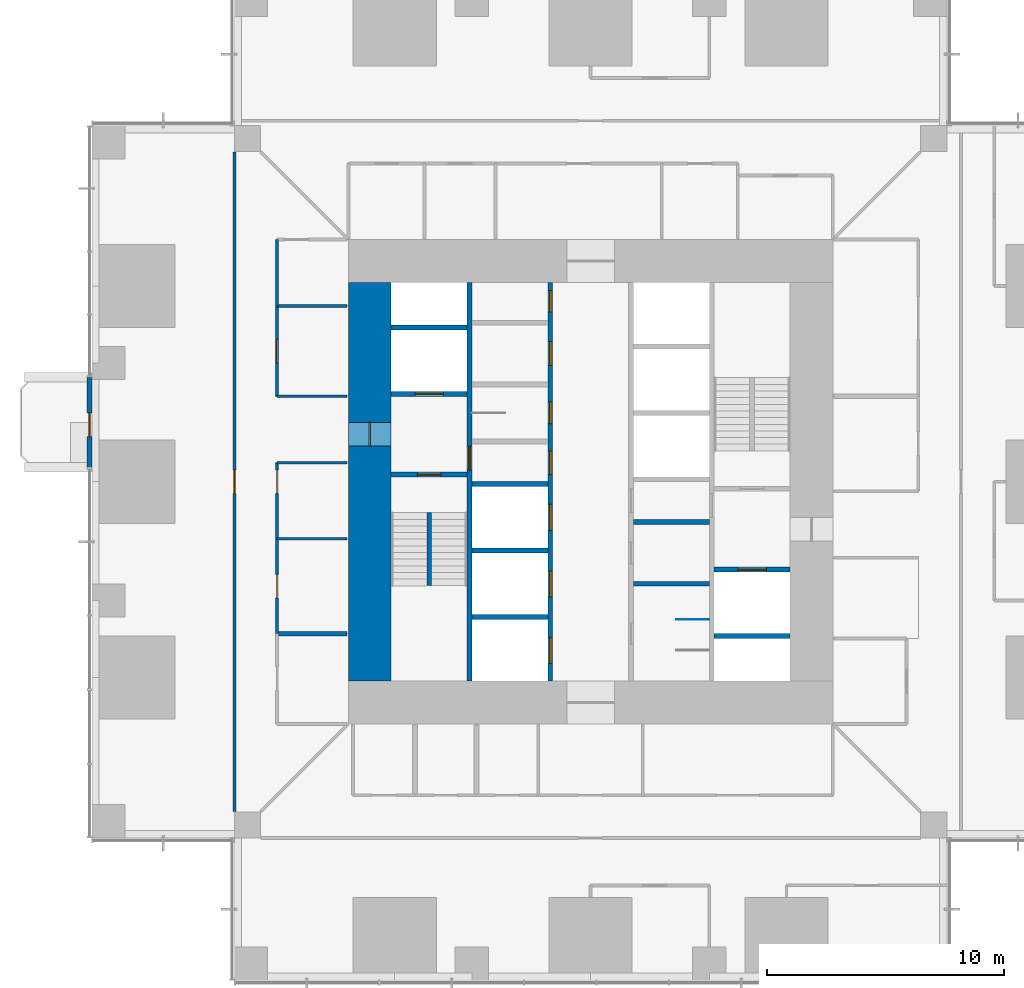
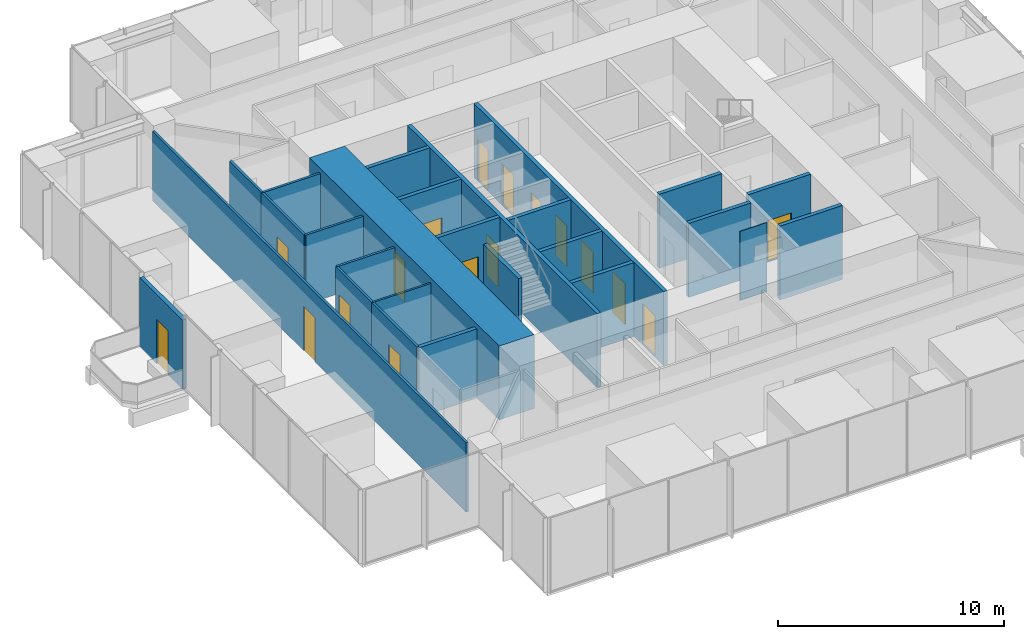
# One storey, part 10 of 15: 26 walls, 17 doors, 17 openings.
"""IFC4 building model written with IfcOpenShell, lengths in metres."""

from ifc_helpers import new_model, si_unit, direction, frame, frame_2d, origin, place, context, subcontext, project, spatial, rectangle, extrude, material, layer, layer_set, type_object, element, fill, save


model = new_model("IFC4")

# Units and contexts
model_context = context("Model", 3, precision=1e-05, world=origin(), true_north=direction((0.0, 1.0)))
body_context = subcontext(model_context, "Body", "Model", "MODEL_VIEW")
ifc_project = project(units=[si_unit("LENGTHUNIT", "METRE"), si_unit("AREAUNIT", "SQUARE_METRE"), si_unit("VOLUMEUNIT", "CUBIC_METRE"), si_unit("PLANEANGLEUNIT", "RADIAN"), si_unit("MASSUNIT", "GRAM", prefix="KILO")], contexts=[model_context])

# Site, building, storey
site_placement = place(None, origin())
site = spatial("IfcSite", under=ifc_project, at=site_placement, CompositionType="ELEMENT")
building_placement = place(site_placement, origin())
building = spatial("IfcBuilding", under=site, at=building_placement, Name="Svetlomir Tower", CompositionType="ELEMENT")
storey_placement = place(building_placement, frame((0.0, 0.0, 66.5)))
storey = spatial("IfcBuildingStorey", under=building, at=storey_placement, Name="L15", CompositionType="ELEMENT", Elevation=66.5)

# Wall
ifc_material_1 = material(Name="Gypsum board on twin steel studs", Category="steel")
ifc_layer_1 = layer(ifc_material_1, 0.199951171875)
ifc_layer_set_1 = layer_set([ifc_layer_1], Name="Gypsum board on twin steel studs")
wall_type_1 = type_object("IfcWallType", Name="ACOUSTIC PARTITION 200", PredefinedType="PARTITIONING", material=ifc_layer_set_1)
wall_1_placement = place(storey_placement, frame((7.800048828125, 14.60009765625, 0.0), z_axis=(0.0, 0.0, 1.0), x_axis=(1.0, 0.0, 0.0)))
element("IfcWall", 1, at=wall_1_placement, inside=storey, type_object=wall_type_1, Name="Acoustic partition L15", PredefinedType="PARTITIONING", context=body_context, shape_type="SweptSolid", body=[
    extrude(rectangle(XDim=2.949951171875, YDim=0.199951171875, at=frame_2d((1.47509765625, 0.0))), origin(), (0.0, 0.0, 1.0), 3.75),
])

# Wall, opening, door
ifc_material_2 = material(Name="Bronze anodised aluminium glazed screen", Category="aluminium")
ifc_layer_2 = layer(ifc_material_2, 0.199951171875)
ifc_layer_set_2 = layer_set([ifc_layer_2], Name="Bronze anodised aluminium glazed screen")
wall_type_2 = type_object("IfcWallType", Name="BALCONY SCREEN WALL 200", PredefinedType="USERDEFINED", material=ifc_layer_set_2)
wall_2_placement = place(storey_placement, frame((-0.10009765625, 25.39990234375, 0.0), z_axis=(0.0, 0.0, 1.0), x_axis=(0.0, -1.0, 0.0)))
wall_2 = element("IfcWall", 2, at=wall_2_placement, inside=storey, type_object=wall_type_2, Name="Balcony screen W", ObjectType="GLAZED SCREEN", PredefinedType="USERDEFINED", context=body_context, shape_type="SweptSolid", body=[
    extrude(rectangle(XDim=3.7998046875, YDim=0.199951171875, at=frame_2d((1.89990234375, 0.0))), origin(), (0.0, 0.0, 1.0), 3.75),
])
opening_1_placement = place(wall_2_placement, frame((1.5, 0.0, 0.0)))
opening_1 = element("IfcOpeningElement", 3, at=opening_1_placement, cuts=wall_2, Name="Opening BD", PredefinedType="OPENING", context=body_context, shape_type="SweptSolid", body=[
    extrude(rectangle(XDim=1.0, YDim=2.39990234375, at=frame_2d((0.5, 1.199951171875))), frame((0.0, 0.10986328125, 0.0), z_axis=(0.0, -1.0, 0.0), x_axis=(1.0, 0.0, 0.0)), (0.0, 0.0, 1.0), 0.219970703125),
])
ifc_material_3 = material(Name="Bronze anodised aluminium glazed door", Category="aluminium")
door_type_1 = type_object("IfcDoorType", Name="BALCONY DOOR BD 1000x2400", OperationType="SINGLE_SWING_LEFT", PredefinedType="DOOR", material=ifc_material_3)
door_1_placement = place(opening_1_placement, origin())
door_1 = element("IfcDoor", 4, at=door_1_placement, inside=storey, type_object=door_type_1, Name="Balcony screen W door", OperationType="SINGLE_SWING_LEFT", OverallHeight=2.39990234375, OverallWidth=1.0, PredefinedType="DOOR", context=body_context, shape_type="SweptSolid", body=[
    extrude(rectangle(XDim=1.0, YDim=2.39990234375, at=frame_2d((0.5, 1.199951171875))), frame((0.0, 0.02490234375, 0.0), z_axis=(0.0, -1.0, 0.0), x_axis=(1.0, 0.0, 0.0)), (0.0, 0.0, 1.0), 0.050048828125),
])
fill(opening_1, door_1)

ifc_material_4 = material(Name="Concrete C60/75", Category="concrete")
ifc_layer_3 = layer(ifc_material_4, 0.199951171875)
ifc_layer_set_3 = layer_set([ifc_layer_3], Name="Concrete C60/75")
wall_type_3 = type_object("IfcWallType", Name="CORE INNER WALL 200", PredefinedType="SHEAR", material=ifc_layer_set_3)
wall_3_placement = place(storey_placement, frame((15.89990234375, 12.60009765625, -0.050048828125), z_axis=(0.0, 0.0, 1.0), x_axis=(0.0, 1.0, 0.0)))
wall_3 = element("IfcWall", 5, at=wall_3_placement, inside=storey, type_object=wall_type_3, Name="Core inner wall 15.9 L15", PredefinedType="SHEAR", context=body_context, shape_type="SweptSolid", body=[
    extrude(rectangle(XDim=16.7998046875, YDim=0.199951171875, at=frame_2d((8.39990234375, 0.0))), origin(), (0.0, 0.0, 1.0), 4.0),
])
opening_2_placement = place(wall_3_placement, frame((8.89990234375, 0.0, 0.050048828125)))
opening_2 = element("IfcOpeningElement", 6, at=opening_2_placement, cuts=wall_3, Name="Opening DF", PredefinedType="OPENING", context=body_context, shape_type="SweptSolid", body=[
    extrude(rectangle(XDim=1.0, YDim=2.199951171875, at=frame_2d((0.5, 1.10009765625))), frame((0.0, 0.10986328125, 0.0), z_axis=(0.0, -1.0, 0.0), x_axis=(1.0, 0.0, 0.0)), (0.0, 0.0, 1.0), 0.219970703125),
])
ifc_material_5 = material(Name="Steel fire door", Category="steel")
door_type_2 = type_object("IfcDoorType", Name="DOOR DF 1000x2200", OperationType="SINGLE_SWING_LEFT", PredefinedType="DOOR", material=ifc_material_5)
door_2_placement = place(opening_2_placement, origin())
door_2 = element("IfcDoor", 7, at=door_2_placement, inside=storey, type_object=door_type_2, Name="Core corridor west door L15", OperationType="SINGLE_SWING_LEFT", OverallHeight=2.199951171875, OverallWidth=1.0, PredefinedType="DOOR", context=body_context, shape_type="SweptSolid", body=[
    extrude(rectangle(XDim=1.0, YDim=2.199951171875, at=frame_2d((0.5, 1.10009765625))), frame((0.0, 0.02490234375, 0.0), z_axis=(0.0, -1.0, 0.0), x_axis=(1.0, 0.0, 0.0)), (0.0, 0.0, 1.0), 0.050048828125),
])
fill(opening_2, door_2)

# Wall, openings, doors
wall_4_placement = place(storey_placement, frame((19.300048828125, 12.60009765625, -0.050048828125), z_axis=(0.0, 0.0, 1.0), x_axis=(0.0, 1.0, 0.0)))
wall_4 = element("IfcWall", 8, at=wall_4_placement, inside=storey, type_object=wall_type_3, Name="Core inner wall 19.3 L15", PredefinedType="SHEAR", context=body_context, shape_type="SweptSolid", body=[
    extrude(rectangle(XDim=16.7998046875, YDim=0.199951171875, at=frame_2d((8.39990234375, 0.0))), origin(), (0.0, 0.0, 1.0), 4.0),
])
opening_3_placement = place(wall_4_placement, frame((8.699951171875, 0.0, 0.050048828125)))
opening_3 = element("IfcOpeningElement", 9, at=opening_3_placement, cuts=wall_4, Name="Opening DC", PredefinedType="OPENING", context=body_context, shape_type="SweptSolid", body=[
    extrude(rectangle(XDim=1.0, YDim=2.199951171875, at=frame_2d((0.5, 1.10009765625))), frame((0.0, 0.10986328125, 0.0), z_axis=(0.0, -1.0, 0.0), x_axis=(1.0, 0.0, 0.0)), (0.0, 0.0, 1.0), 0.219970703125),
])
opening_4_placement = place(wall_4_placement, frame((10.85009765625, 0.0, 0.050048828125)))
opening_4 = element("IfcOpeningElement", 10, at=opening_4_placement, cuts=wall_4, Name="Opening DW", PredefinedType="OPENING", context=body_context, shape_type="SweptSolid", body=[
    extrude(rectangle(XDim=0.89990234375, YDim=2.199951171875, at=frame_2d((0.449951171875, 1.10009765625))), frame((0.0, 0.10986328125, 0.0), z_axis=(0.0, -1.0, 0.0), x_axis=(1.0, 0.0, 0.0)), (0.0, 0.0, 1.0), 0.219970703125),
])
opening_5_placement = place(wall_4_placement, frame((13.300048828125, 0.0, 0.050048828125)))
opening_5 = element("IfcOpeningElement", 11, at=opening_5_placement, cuts=wall_4, Name="Opening DC", PredefinedType="OPENING", context=body_context, shape_type="SweptSolid", body=[
    extrude(rectangle(XDim=1.0, YDim=2.199951171875, at=frame_2d((0.5, 1.10009765625))), frame((0.0, 0.10986328125, 0.0), z_axis=(0.0, -1.0, 0.0), x_axis=(1.0, 0.0, 0.0)), (0.0, 0.0, 1.0), 0.219970703125),
])
opening_6_placement = place(wall_4_placement, frame((15.550048828125, 0.0, 0.050048828125)))
opening_6 = element("IfcOpeningElement", 12, at=opening_6_placement, cuts=wall_4, Name="Opening DW", PredefinedType="OPENING", context=body_context, shape_type="SweptSolid", body=[
    extrude(rectangle(XDim=0.89990234375, YDim=2.199951171875, at=frame_2d((0.449951171875, 1.10009765625))), frame((0.0, 0.10986328125, 0.0), z_axis=(0.0, -1.0, 0.0), x_axis=(1.0, 0.0, 0.0)), (0.0, 0.0, 1.0), 0.219970703125),
])
opening_7_placement = place(wall_4_placement, frame((0.75, 0.0, 0.050048828125)))
opening_7 = element("IfcOpeningElement", 13, at=opening_7_placement, cuts=wall_4, Name="Opening LD", PredefinedType="OPENING", context=body_context, shape_type="SweptSolid", body=[
    extrude(rectangle(XDim=1.10009765625, YDim=2.199951171875, at=frame_2d((0.550048828125, 1.10009765625))), frame((0.0, 0.10986328125, 0.0), z_axis=(0.0, -1.0, 0.0), x_axis=(1.0, 0.0, 0.0)), (0.0, 0.0, 1.0), 0.219970703125),
])
opening_8_placement = place(wall_4_placement, frame((3.550048828125, 0.0, 0.050048828125)))
opening_8 = element("IfcOpeningElement", 14, at=opening_8_placement, cuts=wall_4, Name="Opening LD", PredefinedType="OPENING", context=body_context, shape_type="SweptSolid", body=[
    extrude(rectangle(XDim=1.10009765625, YDim=2.199951171875, at=frame_2d((0.550048828125, 1.10009765625))), frame((0.0, 0.10986328125, 0.0), z_axis=(0.0, -1.0, 0.0), x_axis=(1.0, 0.0, 0.0)), (0.0, 0.0, 1.0), 0.219970703125),
])
opening_9_placement = place(wall_4_placement, frame((6.35009765625, 0.0, 0.050048828125)))
opening_9 = element("IfcOpeningElement", 15, at=opening_9_placement, cuts=wall_4, Name="Opening LD", PredefinedType="OPENING", context=body_context, shape_type="SweptSolid", body=[
    extrude(rectangle(XDim=1.10009765625, YDim=2.199951171875, at=frame_2d((0.550048828125, 1.10009765625))), frame((0.0, 0.10986328125, 0.0), z_axis=(0.0, -1.0, 0.0), x_axis=(1.0, 0.0, 0.0)), (0.0, 0.0, 1.0), 0.219970703125),
])
ifc_material_6 = material(Name="Timber fire door", Category="wood")
door_type_3 = type_object("IfcDoorType", Name="DOOR DC 1000x2200", OperationType="SINGLE_SWING_LEFT", PredefinedType="DOOR", material=ifc_material_6)
door_3_placement = place(opening_3_placement, origin())
door_3 = element("IfcDoor", 16, at=door_3_placement, inside=storey, type_object=door_type_3, Name="Core corridor west lobby door L15", OperationType="SINGLE_SWING_LEFT", OverallHeight=2.199951171875, OverallWidth=1.0, PredefinedType="DOOR", context=body_context, shape_type="SweptSolid", body=[
    extrude(rectangle(XDim=1.0, YDim=2.199951171875, at=frame_2d((0.5, 1.10009765625))), frame((0.0, 0.02490234375, 0.0), z_axis=(0.0, -1.0, 0.0), x_axis=(1.0, 0.0, 0.0)), (0.0, 0.0, 1.0), 0.050048828125),
])
fill(opening_3, door_3)
door_4_placement = place(opening_5_placement, origin())
door_4 = element("IfcDoor", 17, at=door_4_placement, inside=storey, type_object=door_type_3, Name="Accessible WC door L15", OperationType="SINGLE_SWING_RIGHT", OverallHeight=2.199951171875, OverallWidth=1.0, PredefinedType="DOOR", context=body_context, shape_type="SweptSolid", body=[
    extrude(rectangle(XDim=1.0, YDim=2.199951171875, at=frame_2d((0.5, 1.10009765625))), frame((0.0, 0.02490234375, 0.0), z_axis=(0.0, -1.0, 0.0), x_axis=(1.0, 0.0, 0.0)), (0.0, 0.0, 1.0), 0.050048828125),
])
fill(opening_5, door_4)
ifc_material_7 = material(Name="Timber fire door", Category="wood")
door_type_4 = type_object("IfcDoorType", Name="DOOR DW 900x2200", OperationType="SINGLE_SWING_LEFT", PredefinedType="DOOR", material=ifc_material_7)
door_5_placement = place(opening_4_placement, origin())
door_5 = element("IfcDoor", 18, at=door_5_placement, inside=storey, type_object=door_type_4, Name="Female WC door L15", OperationType="SINGLE_SWING_LEFT", OverallHeight=2.199951171875, OverallWidth=0.89990234375, PredefinedType="DOOR", context=body_context, shape_type="SweptSolid", body=[
    extrude(rectangle(XDim=0.89990234375, YDim=2.199951171875, at=frame_2d((0.449951171875, 1.10009765625))), frame((0.0, 0.02490234375, 0.0), z_axis=(0.0, -1.0, 0.0), x_axis=(1.0, 0.0, 0.0)), (0.0, 0.0, 1.0), 0.050048828125),
])
fill(opening_4, door_5)
door_6_placement = place(opening_6_placement, origin())
door_6 = element("IfcDoor", 19, at=door_6_placement, inside=storey, type_object=door_type_4, Name="IT floor distributor room door L15", OperationType="SINGLE_SWING_LEFT", OverallHeight=2.199951171875, OverallWidth=0.89990234375, PredefinedType="DOOR", context=body_context, shape_type="SweptSolid", body=[
    extrude(rectangle(XDim=0.89990234375, YDim=2.199951171875, at=frame_2d((0.449951171875, 1.10009765625))), frame((0.0, 0.02490234375, 0.0), z_axis=(0.0, -1.0, 0.0), x_axis=(1.0, 0.0, 0.0)), (0.0, 0.0, 1.0), 0.050048828125),
])
fill(opening_6, door_6)
ifc_material_8 = material(Name="Stainless steel landing door", Category="steel")
door_type_5 = type_object("IfcDoorType", Name="LIFT LANDING DOOR LD 1100x2200", OperationType="DOUBLE_DOOR_SLIDING", PredefinedType="DOOR", material=ifc_material_8)
door_7_placement = place(opening_7_placement, origin())
door_7 = element("IfcDoor", 20, at=door_7_placement, inside=storey, type_object=door_type_5, Name="Landing door lift LA1 L15", OperationType="DOUBLE_DOOR_SLIDING", OverallHeight=2.199951171875, OverallWidth=1.10009765625, PredefinedType="DOOR", context=body_context, shape_type="SweptSolid", body=[
    extrude(rectangle(XDim=1.10009765625, YDim=2.199951171875, at=frame_2d((0.550048828125, 1.10009765625))), frame((0.0, 0.02490234375, 0.0), z_axis=(0.0, -1.0, 0.0), x_axis=(1.0, 0.0, 0.0)), (0.0, 0.0, 1.0), 0.050048828125),
])
fill(opening_7, door_7)
door_8_placement = place(opening_8_placement, origin())
door_8 = element("IfcDoor", 21, at=door_8_placement, inside=storey, type_object=door_type_5, Name="Landing door lift LA2 L15", OperationType="DOUBLE_DOOR_SLIDING", OverallHeight=2.199951171875, OverallWidth=1.10009765625, PredefinedType="DOOR", context=body_context, shape_type="SweptSolid", body=[
    extrude(rectangle(XDim=1.10009765625, YDim=2.199951171875, at=frame_2d((0.550048828125, 1.10009765625))), frame((0.0, 0.02490234375, 0.0), z_axis=(0.0, -1.0, 0.0), x_axis=(1.0, 0.0, 0.0)), (0.0, 0.0, 1.0), 0.050048828125),
])
fill(opening_8, door_8)
door_9_placement = place(opening_9_placement, origin())
door_9 = element("IfcDoor", 22, at=door_9_placement, inside=storey, type_object=door_type_5, Name="Landing door lift LA3 L15", OperationType="DOUBLE_DOOR_SLIDING", OverallHeight=2.199951171875, OverallWidth=1.10009765625, PredefinedType="DOOR", context=body_context, shape_type="SweptSolid", body=[
    extrude(rectangle(XDim=1.10009765625, YDim=2.199951171875, at=frame_2d((0.550048828125, 1.10009765625))), frame((0.0, 0.02490234375, 0.0), z_axis=(0.0, -1.0, 0.0), x_axis=(1.0, 0.0, 0.0)), (0.0, 0.0, 1.0), 0.050048828125),
])
fill(opening_9, door_9)

# Wall, opening, door
wall_5_placement = place(storey_placement, frame((12.60009765625, 21.300048828125, -0.050048828125), z_axis=(0.0, 0.0, 1.0), x_axis=(1.0, 0.0, 0.0)))
wall_5 = element("IfcWall", 23, at=wall_5_placement, inside=storey, type_object=wall_type_3, Name="Core inner wall 12.6-15.8/21.3 L15", PredefinedType="SHEAR", context=body_context, shape_type="SweptSolid", body=[
    extrude(rectangle(XDim=3.199951171875, YDim=0.199951171875, at=frame_2d((1.60009765625, 0.0))), origin(), (0.0, 0.0, 1.0), 4.0),
])
opening_10_placement = place(wall_5_placement, frame((1.10009765625, 0.0, 0.050048828125)))
opening_10 = element("IfcOpeningElement", 24, at=opening_10_placement, cuts=wall_5, Name="Opening DF", PredefinedType="OPENING", context=body_context, shape_type="SweptSolid", body=[
    extrude(rectangle(XDim=1.0, YDim=2.199951171875, at=frame_2d((0.5, 1.10009765625))), frame((0.0, 0.10986328125, 0.0), z_axis=(0.0, -1.0, 0.0), x_axis=(1.0, 0.0, 0.0)), (0.0, 0.0, 1.0), 0.219970703125),
])
door_10_placement = place(opening_10_placement, origin())
door_10 = element("IfcDoor", 25, at=door_10_placement, inside=storey, type_object=door_type_2, Name="Stair S1 door L15", OperationType="SINGLE_SWING_LEFT", OverallHeight=2.199951171875, OverallWidth=1.0, PredefinedType="DOOR", context=body_context, shape_type="SweptSolid", body=[
    extrude(rectangle(XDim=1.0, YDim=2.199951171875, at=frame_2d((0.5, 1.10009765625))), frame((0.0, 0.02490234375, 0.0), z_axis=(0.0, -1.0, 0.0), x_axis=(1.0, 0.0, 0.0)), (0.0, 0.0, 1.0), 0.050048828125),
])
fill(opening_10, door_10)

wall_6_placement = place(storey_placement, frame((12.60009765625, 24.699951171875, -0.050048828125), z_axis=(0.0, 0.0, 1.0), x_axis=(1.0, 0.0, 0.0)))
wall_6 = element("IfcWall", 26, at=wall_6_placement, inside=storey, type_object=wall_type_3, Name="Core inner wall 12.6-15.8/24.7 L15", PredefinedType="SHEAR", context=body_context, shape_type="SweptSolid", body=[
    extrude(rectangle(XDim=3.199951171875, YDim=0.199951171875, at=frame_2d((1.60009765625, 0.0))), origin(), (0.0, 0.0, 1.0), 4.0),
])
opening_11_placement = place(wall_6_placement, frame((1.0, 0.0, 0.050048828125)))
opening_11 = element("IfcOpeningElement", 27, at=opening_11_placement, cuts=wall_6, Name="Opening LD3", PredefinedType="OPENING", context=body_context, shape_type="SweptSolid", body=[
    extrude(rectangle(XDim=1.199951171875, YDim=2.199951171875, at=frame_2d((0.60009765625, 1.10009765625))), frame((0.0, 0.10986328125, 0.0), z_axis=(0.0, -1.0, 0.0), x_axis=(1.0, 0.0, 0.0)), (0.0, 0.0, 1.0), 0.219970703125),
])
ifc_material_9 = material(Name="Stainless steel fire-rated landing door", Category="steel")
door_type_6 = type_object("IfcDoorType", Name="FIREFIGHTING LIFT LANDING DOOR LD3 1200x2200", OperationType="DOUBLE_DOOR_SLIDING", PredefinedType="DOOR", material=ifc_material_9)
door_11_placement = place(opening_11_placement, origin())
door_11 = element("IfcDoor", 28, at=door_11_placement, inside=storey, type_object=door_type_6, Name="Landing door lift FL1 L15", OperationType="DOUBLE_DOOR_SLIDING", OverallHeight=2.199951171875, OverallWidth=1.199951171875, PredefinedType="DOOR", context=body_context, shape_type="SweptSolid", body=[
    extrude(rectangle(XDim=1.199951171875, YDim=2.199951171875, at=frame_2d((0.60009765625, 1.10009765625))), frame((0.0, 0.02490234375, 0.0), z_axis=(0.0, -1.0, 0.0), x_axis=(1.0, 0.0, 0.0)), (0.0, 0.0, 1.0), 0.050048828125),
])
fill(opening_11, door_11)

# Walls
for number, where, z_axis, x_axis, name in (
    (29, (12.60009765625, 27.5, -0.050048828125), (0.0, 0.0, 1.0), (1.0, 0.0, 0.0), "Core inner wall 12.6-15.8/27.5 L15"),
    (30, (16.0, 15.300048828125, -0.050048828125), (0.0, 0.0, 1.0), (1.0, 0.0, 0.0), "Core inner wall 16-19.2/15.3 L15"),
    (31, (16.0, 18.10009765625, -0.050048828125), (0.0, 0.0, 1.0), (1.0, 0.0, 0.0), "Core inner wall 16-19.2/18.1 L15"),
    (32, (16.0, 20.89990234375, -0.050048828125), (0.0, 0.0, 1.0), (1.0, 0.0, 0.0), "Core inner wall 16-19.2/20.9 L15"),
    (33, (22.800048828125, 16.699951171875, -0.050048828125), (0.0, 0.0, 1.0), (1.0, 0.0, 0.0), "Core inner wall 22.8-26/16.7 L15"),
    (34, (22.800048828125, 19.300048828125, -0.050048828125), (0.0, 0.0, 1.0), (1.0, 0.0, 0.0), "Core inner wall 22.8-26/19.3 L15"),
    (35, (26.199951171875, 14.5, -0.050048828125), (0.0, 0.0, 1.0), (1.0, 0.0, 0.0), "Core inner wall 26.2-29.4/14.5 L15"),
):
    element("IfcWall", number, at=place(storey_placement, frame(where, z_axis=z_axis, x_axis=x_axis)), inside=storey, type_object=wall_type_3, Name=name, PredefinedType="SHEAR", context=body_context, shape_type="SweptSolid", body=[
        extrude(rectangle(XDim=3.199951171875, YDim=0.199951171875, at=frame_2d((1.60009765625, 0.0))), origin(), (0.0, 0.0, 1.0), 4.0),
    ])

# Wall, opening, door
wall_7_placement = place(storey_placement, frame((26.199951171875, 17.300048828125, -0.050048828125), z_axis=(0.0, 0.0, 1.0), x_axis=(1.0, 0.0, 0.0)))
wall_7 = element("IfcWall", 36, at=wall_7_placement, inside=storey, type_object=wall_type_3, Name="Core inner wall 26.2-29.4/17.3 L15", PredefinedType="SHEAR", context=body_context, shape_type="SweptSolid", body=[
    extrude(rectangle(XDim=3.199951171875, YDim=0.199951171875, at=frame_2d((1.60009765625, 0.0))), origin(), (0.0, 0.0, 1.0), 4.0),
])
opening_12_placement = place(wall_7_placement, frame((1.0, 0.0, 0.050048828125)))
opening_12 = element("IfcOpeningElement", 37, at=opening_12_placement, cuts=wall_7, Name="Opening LD3", PredefinedType="OPENING", context=body_context, shape_type="SweptSolid", body=[
    extrude(rectangle(XDim=1.199951171875, YDim=2.199951171875, at=frame_2d((0.60009765625, 1.10009765625))), frame((0.0, 0.10986328125, 0.0), z_axis=(0.0, -1.0, 0.0), x_axis=(1.0, 0.0, 0.0)), (0.0, 0.0, 1.0), 0.219970703125),
])
door_12_placement = place(opening_12_placement, origin())
door_12 = element("IfcDoor", 38, at=door_12_placement, inside=storey, type_object=door_type_6, Name="Landing door lift FL2 L15", OperationType="DOUBLE_DOOR_SLIDING", OverallHeight=2.199951171875, OverallWidth=1.199951171875, PredefinedType="DOOR", context=body_context, shape_type="SweptSolid", body=[
    extrude(rectangle(XDim=1.199951171875, YDim=2.199951171875, at=frame_2d((0.60009765625, 1.10009765625))), frame((0.0, 0.02490234375, 0.0), z_axis=(0.0, -1.0, 0.0), x_axis=(1.0, 0.0, 0.0)), (0.0, 0.0, 1.0), 0.050048828125),
])
fill(opening_12, door_12)

ifc_material_10 = material(Name="Concrete C60/75", Category="concrete")
ifc_layer_4 = layer(ifc_material_10, 1.800048828125)
ifc_layer_set_4 = layer_set([ifc_layer_4], Name="Concrete C60/75")
wall_type_4 = type_object("IfcWallType", Name="CORE WALL 1800", PredefinedType="SHEAR", material=ifc_layer_set_4)
wall_8_placement = place(storey_placement, frame((11.699951171875, 12.60009765625, -0.050048828125), z_axis=(0.0, 0.0, 1.0), x_axis=(0.0, 1.0, 0.0)))
wall_8 = element("IfcWall", 39, at=wall_8_placement, inside=storey, type_object=wall_type_4, Name="Core wall west L15", PredefinedType="SHEAR", context=body_context, shape_type="SweptSolid", body=[
    extrude(rectangle(XDim=16.7998046875, YDim=1.800048828125, at=frame_2d((8.39990234375, 0.0))), origin(), (0.0, 0.0, 1.0), 4.0),
])
opening_13_placement = place(wall_8_placement, frame((9.89990234375, 0.0, 0.050048828125)))
opening_13 = element("IfcOpeningElement", 40, at=opening_13_placement, cuts=wall_8, Name="Opening DF", PredefinedType="OPENING", context=body_context, shape_type="SweptSolid", body=[
    extrude(rectangle(XDim=1.0, YDim=2.199951171875, at=frame_2d((0.5, 1.10009765625))), frame((0.0, 0.91015625, 0.0), z_axis=(0.0, -1.0, 0.0), x_axis=(1.0, 0.0, 0.0)), (0.0, 0.0, 1.0), 1.820068359375),
])
door_13_placement = place(opening_13_placement, origin())
door_13 = element("IfcDoor", 41, at=door_13_placement, inside=storey, type_object=door_type_2, Name="Firefighting lobby west door L15", OperationType="SINGLE_SWING_LEFT", OverallHeight=2.199951171875, OverallWidth=1.0, PredefinedType="DOOR", context=body_context, shape_type="SweptSolid", body=[
    extrude(rectangle(XDim=1.0, YDim=2.199951171875, at=frame_2d((0.5, 1.10009765625))), frame((0.0, 0.02490234375, 0.0), z_axis=(0.0, -1.0, 0.0), x_axis=(1.0, 0.0, 0.0)), (0.0, 0.0, 1.0), 0.050048828125),
])
fill(opening_13, door_13)

# Wall
ifc_material_11 = material(Name="Framed laminated glass partition", Category="glass")
ifc_layer_5 = layer(ifc_material_11, 0.10009765625)
ifc_layer_set_5 = layer_set([ifc_layer_5], Name="Framed laminated glass partition")
wall_type_5 = type_object("IfcWallType", Name="GLAZED PARTITION 100", PredefinedType="PARTITIONING", material=ifc_layer_set_5)
wall_9_placement = place(storey_placement, frame((7.800048828125, 18.60009765625, 0.0), z_axis=(0.0, 0.0, 1.0), x_axis=(1.0, 0.0, 0.0)))
element("IfcWall", 42, at=wall_9_placement, inside=storey, type_object=wall_type_5, Name="Glazed partition L15", PredefinedType="PARTITIONING", context=body_context, shape_type="SweptSolid", body=[
    extrude(rectangle(XDim=2.949951171875, YDim=0.10009765625, at=frame_2d((1.47509765625, 0.0))), origin(), (0.0, 0.0, 1.0), 3.75),
])

# Wall, opening, door
ifc_material_12 = material(Name="Gypsum board on steel studs", Category="steel")
ifc_layer_6 = layer(ifc_material_12, 0.1201171875)
ifc_layer_set_6 = layer_set([ifc_layer_6], Name="Gypsum board on steel studs")
wall_type_6 = type_object("IfcWallType", Name="PARTITION 120", PredefinedType="PARTITIONING", material=ifc_layer_set_6)
wall_10_placement = place(storey_placement, frame((6.0, 7.110107421875, 0.0), z_axis=(0.0, 0.0, 1.0), x_axis=(0.0, 1.0, 0.0)))
wall_10 = element("IfcWall", 43, at=wall_10_placement, inside=storey, type_object=wall_type_6, Name="Partition L15", PredefinedType="PARTITIONING", context=body_context, shape_type="SweptSolid", body=[
    extrude(rectangle(XDim=27.77978515625, YDim=0.1201171875, at=frame_2d((13.889892578125, 0.0))), origin(), (0.0, 0.0, 1.0), 3.75),
])
opening_14_placement = place(wall_10_placement, frame((13.389892578125, 0.0, 0.0)))
opening_14 = element("IfcOpeningElement", 44, at=opening_14_placement, cuts=wall_10, Name="Opening DG", PredefinedType="OPENING", context=body_context, shape_type="SweptSolid", body=[
    extrude(rectangle(XDim=1.0, YDim=2.39990234375, at=frame_2d((0.5, 1.199951171875))), frame((0.0, 0.070068359375, 0.0), z_axis=(0.0, -1.0, 0.0), x_axis=(1.0, 0.0, 0.0)), (0.0, 0.0, 1.0), 0.14013671875),
])
ifc_material_13 = material(Name="Framed laminated glass door", Category="glass")
door_type_7 = type_object("IfcDoorType", Name="GLAZED DOOR DG 1000x2400", OperationType="SINGLE_SWING_LEFT", PredefinedType="DOOR", material=ifc_material_13)
door_14_placement = place(opening_14_placement, origin())
door_14 = element("IfcDoor", 45, at=door_14_placement, inside=storey, type_object=door_type_7, Name="Ring corridor 3 door 1 L15", OperationType="SINGLE_SWING_RIGHT", OverallHeight=2.39990234375, OverallWidth=1.0, PredefinedType="DOOR", context=body_context, shape_type="SweptSolid", body=[
    extrude(rectangle(XDim=1.0, YDim=2.39990234375, at=frame_2d((0.5, 1.199951171875))), frame((0.0, 0.02490234375, 0.0), z_axis=(0.0, -1.0, 0.0), x_axis=(1.0, 0.0, 0.0)), (0.0, 0.0, 1.0), 0.050048828125),
])
fill(opening_14, door_14)

wall_11_placement = place(storey_placement, frame((7.800048828125, 14.60009765625, 0.0), z_axis=(0.0, 0.0, 1.0), x_axis=(0.0, 1.0, 0.0)))
wall_11 = element("IfcWall", 46, at=wall_11_placement, inside=storey, type_object=wall_type_6, Name="Partition L15", PredefinedType="PARTITIONING", context=body_context, shape_type="SweptSolid", body=[
    extrude(rectangle(XDim=4.0, YDim=0.1201171875, at=frame_2d((2.0, 0.0))), origin(), (0.0, 0.0, 1.0), 3.75),
])
opening_15_placement = place(wall_11_placement, frame((1.5, 0.0, 0.0)))
opening_15 = element("IfcOpeningElement", 47, at=opening_15_placement, cuts=wall_11, Name="Opening DG", PredefinedType="OPENING", context=body_context, shape_type="SweptSolid", body=[
    extrude(rectangle(XDim=1.0, YDim=2.39990234375, at=frame_2d((0.5, 1.199951171875))), frame((0.0, 0.070068359375, 0.0), z_axis=(0.0, -1.0, 0.0), x_axis=(1.0, 0.0, 0.0)), (0.0, 0.0, 1.0), 0.14013671875),
])
door_15_placement = place(opening_15_placement, origin())
door_15 = element("IfcDoor", 48, at=door_15_placement, inside=storey, type_object=door_type_7, Name="Meeting room, 4 seats door L15", OperationType="SINGLE_SWING_LEFT", OverallHeight=2.39990234375, OverallWidth=1.0, PredefinedType="DOOR", context=body_context, shape_type="SweptSolid", body=[
    extrude(rectangle(XDim=1.0, YDim=2.39990234375, at=frame_2d((0.5, 1.199951171875))), frame((0.0, 0.02490234375, 0.0), z_axis=(0.0, -1.0, 0.0), x_axis=(1.0, 0.0, 0.0)), (0.0, 0.0, 1.0), 0.050048828125),
])
fill(opening_15, door_15)

wall_12_placement = place(storey_placement, frame((7.800048828125, 18.60009765625, 0.0), z_axis=(0.0, 0.0, 1.0), x_axis=(0.0, 1.0, 0.0)))
wall_12 = element("IfcWall", 49, at=wall_12_placement, inside=storey, type_object=wall_type_6, Name="Partition L15", PredefinedType="PARTITIONING", context=body_context, shape_type="SweptSolid", body=[
    extrude(rectangle(XDim=3.199951171875, YDim=0.1201171875, at=frame_2d((1.60009765625, 0.0))), origin(), (0.0, 0.0, 1.0), 3.75),
])
opening_16_placement = place(wall_12_placement, frame((1.89990234375, 0.0, 0.0)))
opening_16 = element("IfcOpeningElement", 50, at=opening_16_placement, cuts=wall_12, Name="Opening DG", PredefinedType="OPENING", context=body_context, shape_type="SweptSolid", body=[
    extrude(rectangle(XDim=1.0, YDim=2.39990234375, at=frame_2d((0.5, 1.199951171875))), frame((0.0, 0.070068359375, 0.0), z_axis=(0.0, -1.0, 0.0), x_axis=(1.0, 0.0, 0.0)), (0.0, 0.0, 1.0), 0.14013671875),
])
door_16_placement = place(opening_16_placement, origin())
door_16 = element("IfcDoor", 51, at=door_16_placement, inside=storey, type_object=door_type_7, Name="Ring corridor 3 door 3 L15", OperationType="SINGLE_SWING_RIGHT", OverallHeight=2.39990234375, OverallWidth=1.0, PredefinedType="DOOR", context=body_context, shape_type="SweptSolid", body=[
    extrude(rectangle(XDim=1.0, YDim=2.39990234375, at=frame_2d((0.5, 1.199951171875))), frame((0.0, 0.02490234375, 0.0), z_axis=(0.0, -1.0, 0.0), x_axis=(1.0, 0.0, 0.0)), (0.0, 0.0, 1.0), 0.050048828125),
])
fill(opening_16, door_16)

# Wall
wall_13_placement = place(storey_placement, frame((7.800048828125, 21.800048828125, 0.0), z_axis=(0.0, 0.0, 1.0), x_axis=(1.0, 0.0, 0.0)))
element("IfcWall", 52, at=wall_13_placement, inside=storey, type_object=wall_type_6, Name="Partition L15", PredefinedType="PARTITIONING", context=body_context, shape_type="SweptSolid", body=[
    extrude(rectangle(XDim=2.949951171875, YDim=0.1201171875, at=frame_2d((1.47509765625, 0.0))), origin(), (0.0, 0.0, 1.0), 3.75),
])

# Wall, opening, door
wall_14_placement = place(storey_placement, frame((7.800048828125, 24.60009765625, 0.0), z_axis=(0.0, 0.0, 1.0), x_axis=(0.0, 1.0, 0.0)))
wall_14 = element("IfcWall", 53, at=wall_14_placement, inside=storey, type_object=wall_type_6, Name="Partition L15", PredefinedType="PARTITIONING", context=body_context, shape_type="SweptSolid", body=[
    extrude(rectangle(XDim=3.7998046875, YDim=0.1201171875, at=frame_2d((1.89990234375, 0.0))), origin(), (0.0, 0.0, 1.0), 3.75),
])
opening_17_placement = place(wall_14_placement, frame((1.39990234375, 0.0, 0.0)))
opening_17 = element("IfcOpeningElement", 54, at=opening_17_placement, cuts=wall_14, Name="Opening DR", PredefinedType="OPENING", context=body_context, shape_type="SweptSolid", body=[
    extrude(rectangle(XDim=1.0, YDim=2.199951171875, at=frame_2d((0.5, 1.10009765625))), frame((0.0, 0.070068359375, 0.0), z_axis=(0.0, -1.0, 0.0), x_axis=(1.0, 0.0, 0.0)), (0.0, 0.0, 1.0), 0.14013671875),
])
ifc_material_14 = material(Name="Timber door, glazed side light", Category="wood")
door_type_8 = type_object("IfcDoorType", Name="DOOR DR 1000x2200", OperationType="SINGLE_SWING_LEFT", PredefinedType="DOOR", material=ifc_material_14)
door_17_placement = place(opening_17_placement, origin())
door_17 = element("IfcDoor", 55, at=door_17_placement, inside=storey, type_object=door_type_8, Name="Payroll and benefits office door L15", OperationType="SINGLE_SWING_RIGHT", OverallHeight=2.199951171875, OverallWidth=1.0, PredefinedType="DOOR", context=body_context, shape_type="SweptSolid", body=[
    extrude(rectangle(XDim=1.0, YDim=2.199951171875, at=frame_2d((0.5, 1.10009765625))), frame((0.0, 0.02490234375, 0.0), z_axis=(0.0, -1.0, 0.0), x_axis=(1.0, 0.0, 0.0)), (0.0, 0.0, 1.0), 0.050048828125),
])
fill(opening_17, door_17)

# Walls
wall_15_placement = place(storey_placement, frame((7.800048828125, 24.60009765625, 0.0), z_axis=(0.0, 0.0, 1.0), x_axis=(1.0, 0.0, 0.0)))
element("IfcWall", 56, at=wall_15_placement, inside=storey, type_object=wall_type_6, Name="Partition L15", PredefinedType="PARTITIONING", context=body_context, shape_type="SweptSolid", body=[
    extrude(rectangle(XDim=2.949951171875, YDim=0.1201171875, at=frame_2d((1.47509765625, 0.0))), origin(), (0.0, 0.0, 1.0), 3.75),
])
wall_16_placement = place(storey_placement, frame((7.800048828125, 28.39990234375, 0.0), z_axis=(0.0, 0.0, 1.0), x_axis=(0.0, 1.0, 0.0)))
element("IfcWall", 57, at=wall_16_placement, inside=storey, type_object=wall_type_6, Name="Partition L15", PredefinedType="PARTITIONING", context=body_context, shape_type="SweptSolid", body=[
    extrude(rectangle(XDim=2.800048828125, YDim=0.1201171875, at=frame_2d((1.39990234375, 0.0))), origin(), (0.0, 0.0, 1.0), 3.75),
])
wall_17_placement = place(storey_placement, frame((7.800048828125, 28.39990234375, 0.0), z_axis=(0.0, 0.0, 1.0), x_axis=(1.0, 0.0, 0.0)))
element("IfcWall", 58, at=wall_17_placement, inside=storey, type_object=wall_type_6, Name="Partition L15", PredefinedType="PARTITIONING", context=body_context, shape_type="SweptSolid", body=[
    extrude(rectangle(XDim=2.949951171875, YDim=0.1201171875, at=frame_2d((1.47509765625, 0.0))), origin(), (0.0, 0.0, 1.0), 3.75),
])
ifc_material_15 = material(Name="Concrete C60/75", Category="concrete")
ifc_layer_7 = layer(ifc_material_15, 0.199951171875)
ifc_layer_set_7 = layer_set([ifc_layer_7], Name="Concrete C60/75")
wall_type_7 = type_object("IfcWallType", Name="STAIR SPINE WALL 200", PredefinedType="PARTITIONING", material=ifc_layer_set_7)
wall_18_placement = place(storey_placement, frame((14.199951171875, 16.6201171875, 0.0), z_axis=(0.0, 0.0, 1.0), x_axis=(0.0, 1.0, 0.0)))
element("IfcWall", 59, at=wall_18_placement, inside=storey, type_object=wall_type_7, Name="Stair S1 spine wall L15", PredefinedType="PARTITIONING", context=body_context, shape_type="SweptSolid", body=[
    extrude(rectangle(XDim=3.079833984375, YDim=0.199951171875, at=frame_2d((1.5400390625, 0.0))), origin(), (0.0, 0.0, 1.0), 4.0),
])
ifc_material_16 = material(Name="Compact laminate panel", Category="plastic")
ifc_layer_8 = layer(ifc_material_16, 0.030029296875)
ifc_layer_set_8 = layer_set([ifc_layer_8], Name="Compact laminate panel")
wall_type_8 = type_object("IfcWallType", Name="WC CUBICLE PARTITION 30", PredefinedType="PARTITIONING", material=ifc_layer_set_8)
wall_19_placement = place(storey_placement, frame((24.60009765625, 15.199951171875, 0.0), z_axis=(0.0, 0.0, 1.0), x_axis=(1.0, 0.0, 0.0)))
element("IfcWall", 60, at=wall_19_placement, inside=storey, type_object=wall_type_8, Name="WC cubicle partition L15", PredefinedType="PARTITIONING", context=body_context, shape_type="SweptSolid", body=[
    extrude(rectangle(XDim=1.39990234375, YDim=0.030029296875, at=frame_2d((0.699951171875, 0.0))), origin(), (0.0, 0.0, 1.0), 3.75),
])

save(model, "model.ifc")
